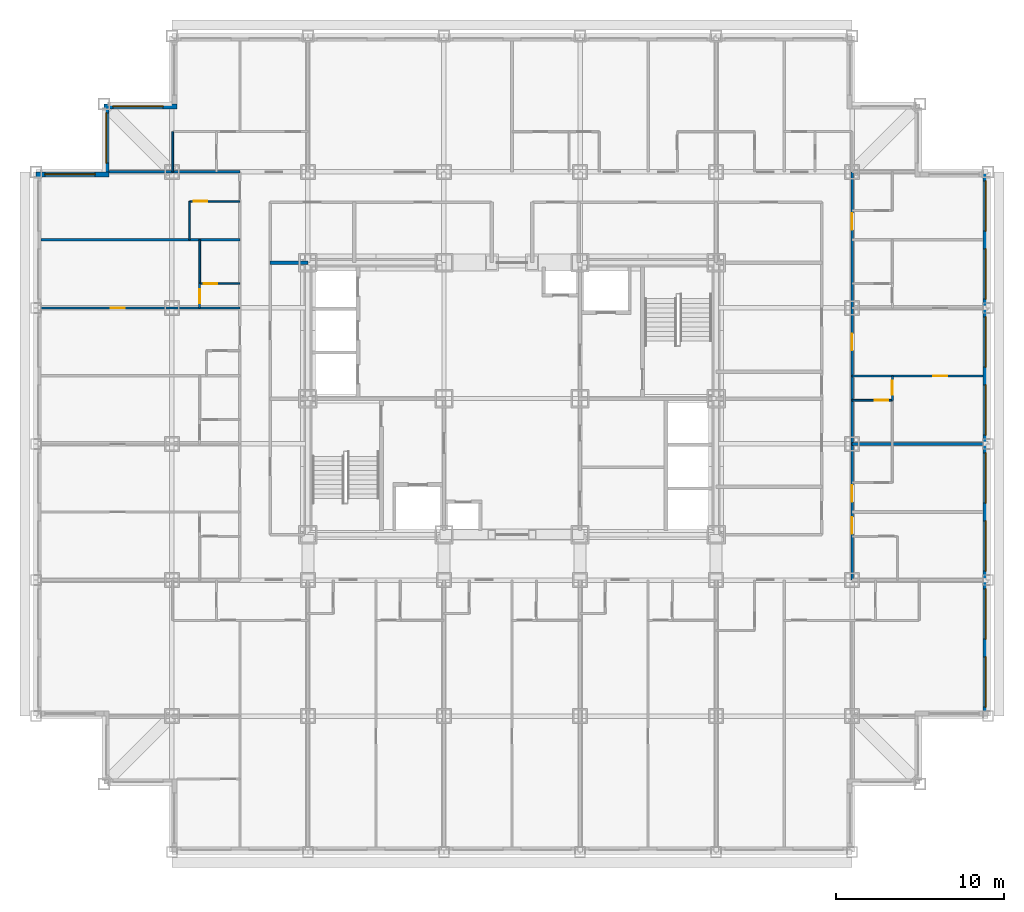
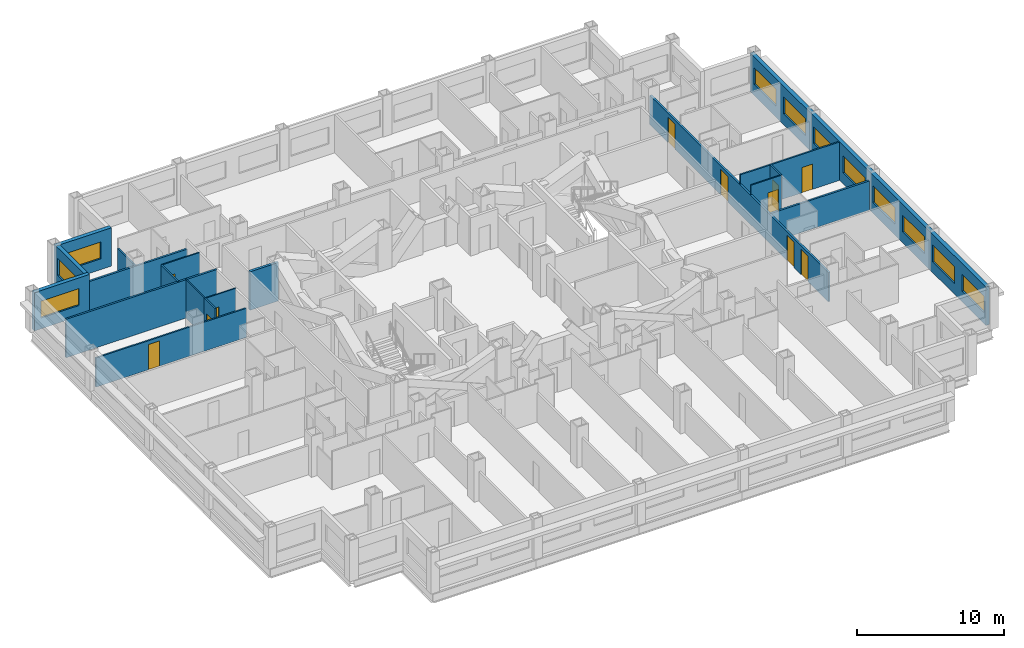
# One storey, part 8 of 12: 19 walls, 11 doors, 11 windows, 22 openings.
"""IFC4 building model written with IfcOpenShell, lengths in metres."""

import ifcopenshell
import ifcopenshell.guid

model = None  # the IFC model being written
_history = None  # IfcOwnerHistory: only IFC2X3 demands one
_inside = {}  # id of a spatial element -> (the spatial element, [elements in it])
_under = {}  # id of a project, library or spatial element -> (it, [spatial elements below it])
_declared = {}  # id of a project -> (the project, [libraries it declares])
_typed = {}  # id of a type object -> (the type object, [elements of that type])
_made_of = {}  # id of a material, layer set ... -> (it, [elements and type objects made of it])


def new_model(schema):
    """Start an empty IFC model of exactly this schema.

    Asked for "IFC4X3", IfcOpenShell would pick the latest addendum, in which some entities
    have other attributes; the version numbers below select the first issue.
    IFC2X3 requires an IfcOwnerHistory on every rooted entity: one is made here for all.
    """
    global model, _history
    if schema == "IFC4X3":
        model = ifcopenshell.file(schema_version=(4, 3, 0, 0))
    else:
        model = ifcopenshell.file(schema=schema)
    _inside.clear()
    _under.clear()
    _declared.clear()
    _typed.clear()
    _made_of.clear()
    _history = None
    if model.schema == "IFC2X3":
        org = make("IfcOrganization", Name="unknown")
        user = make(
            "IfcPersonAndOrganization",
            ThePerson=make("IfcPerson", FamilyName="unknown"),
            TheOrganization=org,
        )
        app = make(
            "IfcApplication",
            ApplicationDeveloper=org,
            Version="unknown",
            ApplicationFullName="unknown",
            ApplicationIdentifier="unknown",
        )
        _history = make(
            "IfcOwnerHistory",
            OwningUser=user,
            OwningApplication=app,
            ChangeAction="ADDED",
            CreationDate=0,
        )
    return model


def make(cls, **values):
    """One entity of the class cls with the attributes given. An attribute that is None is left unset."""
    return model.create_entity(
        cls, **{name: value for name, value in values.items() if value is not None}
    )


def rooted(cls, **values):
    """An entity with a GlobalId (a new one), such as an element, a storey or a relation."""
    return make(cls, GlobalId=ifcopenshell.guid.new(), OwnerHistory=_history, **values)


def si_unit(unit_type, name, prefix=None):
    """IfcSIUnit, for example si_unit("LENGTHUNIT", "METRE", prefix="MILLI")."""
    return make("IfcSIUnit", UnitType=unit_type, Prefix=prefix, Name=name)


def assignment(units):
    """IfcUnitAssignment: the units of a project."""
    return None if units is None else make("IfcUnitAssignment", Units=units)


def point(xyz):
    """IfcCartesianPoint."""
    return None if xyz is None else make("IfcCartesianPoint", Coordinates=xyz)


def direction(xyz):
    """IfcDirection."""
    return None if xyz is None else make("IfcDirection", DirectionRatios=xyz)


def frame(location, z_axis=None, x_axis=None):
    """IfcAxis2Placement3D, a coordinate frame: its origin and axes. An axis left out is left unset."""
    return make(
        "IfcAxis2Placement3D",
        Location=point(location),
        Axis=direction(z_axis),
        RefDirection=direction(x_axis),
    )


def frame_2d(location, x_axis=None):
    """IfcAxis2Placement2D, a coordinate frame in the plane: its origin and x axis."""
    return make(
        "IfcAxis2Placement2D", Location=point(location), RefDirection=direction(x_axis)
    )


def origin():
    """The frame at (0, 0, 0) with its axes left unset."""
    return frame((0.0, 0.0, 0.0))


def place(relative_to, where):
    """IfcLocalPlacement: puts the frame where relative to a parent placement (None: the world)."""
    return make(
        "IfcLocalPlacement", PlacementRelTo=relative_to, RelativePlacement=where
    )


def context(
    kind, dimensions, precision=None, world=None, true_north=None, identifier=None
):
    """IfcGeometricRepresentationContext, for example the 3D "Model" context."""
    return make(
        "IfcGeometricRepresentationContext",
        ContextIdentifier=identifier,
        ContextType=kind,
        CoordinateSpaceDimension=dimensions,
        Precision=precision,
        WorldCoordinateSystem=world,
        TrueNorth=true_north,
    )


def subcontext(parent, identifier, kind, view, scale=None):
    """IfcGeometricRepresentationSubContext, for example "Body" below "Model"."""
    return make(
        "IfcGeometricRepresentationSubContext",
        ContextIdentifier=identifier,
        ContextType=kind,
        ParentContext=parent,
        TargetScale=scale,
        TargetView=view,
    )


def project(units=None, contexts=None):
    """IfcProject with its units and contexts."""
    return rooted(
        "IfcProject",
        Name="project",
        RepresentationContexts=contexts,
        UnitsInContext=assignment(units),
    )


def spatial(cls, under=None, at=None, **own):
    """A site, building, storey or space (cls), placed at a placement, below another one or the project."""
    s = rooted(cls, ObjectPlacement=at, **own)
    if under is not None:
        _under.setdefault(under.id(), (under, []))[1].append(s)
    return s


def profile(cls, at=None, kind="AREA", **sizes):
    """A parametric profile (cls). Its sizes go by their IFC names, for example OverallWidth=200.0."""
    return make(cls, ProfileType=kind, Position=at, **sizes)


def rectangle(**sizes):
    """IfcRectangleProfileDef."""
    return profile("IfcRectangleProfileDef", **sizes)


def extrude(swept, where, along, depth):
    """IfcExtrudedAreaSolid: the profile swept, set in the frame where, extruded along a direction by depth."""
    return make(
        "IfcExtrudedAreaSolid",
        SweptArea=swept,
        Position=where,
        ExtrudedDirection=direction(along),
        Depth=depth,
    )


def shape(context_of_items, identifier, shape_type, items):
    """IfcShapeRepresentation: the items that make up one representation, for example the "Body"."""
    return make(
        "IfcShapeRepresentation",
        ContextOfItems=context_of_items,
        RepresentationIdentifier=identifier,
        RepresentationType=shape_type,
        Items=items,
    )


def material(Name=None, Category=None):
    """IfcMaterial."""
    return make("IfcMaterial", Name=Name, Category=Category)


def layer(
    of_material, thickness, ventilated=None, Name=None, Category=None, Priority=None
):
    """IfcMaterialLayer: one layer of a wall or slab, of a material (None: an air gap)."""
    return make(
        "IfcMaterialLayer",
        Material=of_material,
        LayerThickness=thickness,
        IsVentilated=ventilated,
        Name=Name,
        Category=Category,
        Priority=Priority,
    )


def layer_set(layers, Name=None):
    """IfcMaterialLayerSet."""
    return make("IfcMaterialLayerSet", MaterialLayers=layers, LayerSetName=Name)


def made_of(thing, what):
    """Note that an element or type object is made of a material, layer set ...; save() writes the relation."""
    if what is not None:
        _made_of.setdefault(what.id(), (what, []))[1].append(thing)
    return thing


def type_object(cls, material=None, **own):
    """A type object (cls), such as IfcWallType, which elements share."""
    return made_of(rooted(cls, **own), material)


def element(
    cls,
    number,
    at=None,
    inside=None,
    cuts=None,
    type_object=None,
    material=None,
    context=None,
    identifier="Body",
    shape_type=None,
    held_by="IfcProductDefinitionShape",
    body=None,
    shapes=None,
    **own,
):
    """One element of the class cls, such as IfcWall. Its Tag is "e" and its number.

    at: its placement. inside: the storey or other place that contains it. cuts: it is an
    opening in that element (IfcRelVoidsElement). A single representation is given by context,
    identifier, shape_type and body (its items); several are given by shapes. held_by: the class
    of the entity that holds the representations. save() writes the other relations.
    """
    e = rooted(cls, Tag="e%d" % number, ObjectPlacement=at, **own)
    if body is not None:
        shapes = [shape(context, identifier, shape_type, body)]
    if shapes is not None:
        e.Representation = make(held_by, Representations=shapes)
    if inside is not None:
        _inside.setdefault(inside.id(), (inside, []))[1].append(e)
    if cuts is not None:
        rooted(
            "IfcRelVoidsElement", RelatingBuildingElement=cuts, RelatedOpeningElement=e
        )
    if type_object is not None:
        _typed.setdefault(type_object.id(), (type_object, []))[1].append(e)
    return made_of(e, material)


def fill(opening, filler):
    """IfcRelFillsElement: the door or window that sits in an opening."""
    return rooted(
        "IfcRelFillsElement",
        RelatingOpeningElement=opening,
        RelatedBuildingElement=filler,
    )


def aggregate(whole, parts):
    """IfcRelAggregates: a whole, such as a stair, and the parts it consists of."""
    return rooted("IfcRelAggregates", RelatingObject=whole, RelatedObjects=parts)


def save(model, path):
    """Write the relations noted so far, then the file.

    IfcRelAggregates (storeys below a building ...), IfcRelContainedInSpatialStructure (elements
    in a storey), IfcRelDefinesByType, IfcRelAssociatesMaterial and IfcRelDeclares: one each for
    every whole, place, type object, material and project.
    """
    for whole, parts in _under.values():
        aggregate(whole, parts)
    for where, things in _inside.values():
        rooted(
            "IfcRelContainedInSpatialStructure",
            RelatedElements=things,
            RelatingStructure=where,
        )
    for kind, things in _typed.values():
        rooted("IfcRelDefinesByType", RelatedObjects=things, RelatingType=kind)
    for what, things in _made_of.values():
        rooted("IfcRelAssociatesMaterial", RelatedObjects=things, RelatingMaterial=what)
    for by, libraries in _declared.values():
        rooted("IfcRelDeclares", RelatingContext=by, RelatedDefinitions=libraries)
    model.write(path)


model = new_model("IFC4")

# Units and contexts
model_context = context("Model", 3, precision=1e-05, world=origin(), true_north=direction((0.0, 1.0)))
body_context = subcontext(model_context, "Body", "Model", "MODEL_VIEW")
ifc_project = project(units=[si_unit("LENGTHUNIT", "METRE"), si_unit("AREAUNIT", "SQUARE_METRE"), si_unit("VOLUMEUNIT", "CUBIC_METRE"), si_unit("PLANEANGLEUNIT", "RADIAN"), si_unit("MASSUNIT", "GRAM", prefix="KILO")], contexts=[model_context])

# Site, building, storey
site_placement = place(None, origin())
site = spatial("IfcSite", under=ifc_project, at=site_placement, CompositionType="ELEMENT")
building_placement = place(site_placement, origin())
building = spatial("IfcBuilding", under=site, at=building_placement, Name="Kopane Lantern Tower", CompositionType="ELEMENT")
storey_placement = place(building_placement, frame((0.0, 0.0, 147.60009765625)))
storey = spatial("IfcBuildingStorey", under=building, at=storey_placement, Name="L38", CompositionType="ELEMENT", Elevation=147.60009765625)

# Wall, opening, door
ifc_material_1 = material(Name="Gypsum board on steel studs", Category="steel")
ifc_layer_1 = layer(ifc_material_1, 0.1201171875)
ifc_layer_set_1 = layer_set([ifc_layer_1], Name="APARTMENT INTERNAL WALL 120")
wall_type_1 = type_object("IfcWallType", Name="APARTMENT INTERNAL WALL 120", PredefinedType="PARTITIONING", material=ifc_layer_set_1)
wall_1_placement = place(storey_placement, frame((12.14990234375, 37.800048828125, 0.0), z_axis=(0.0, 0.0, 1.0), x_axis=(-1.0, 0.0, 0.0)))
wall_1 = element("IfcWall", 1, at=wall_1_placement, inside=storey, type_object=wall_type_1, Name="Apartment Internal Wall 120 L38", PredefinedType="PARTITIONING", context=body_context, shape_type="SweptSolid", body=[
    extrude(rectangle(XDim=11.849853515625, YDim=0.1201171875, at=frame_2d((5.9248046875, 0.0))), origin(), (0.0, 0.0, 1.0), 2.420166015625),
])
opening_1_placement = place(wall_1_placement, frame((6.85009765625, 0.0, 0.0)))
opening_1 = element("IfcOpeningElement", 2, at=opening_1_placement, cuts=wall_1, Name="Opening L38-042", PredefinedType="OPENING", context=body_context, shape_type="SweptSolid", body=[
    extrude(rectangle(XDim=0.85009765625, YDim=2.10009765625, at=frame_2d((0.425048828125, 1.050048828125))), frame((0.0, 0.070068359375, 0.0), z_axis=(0.0, -1.0, 0.0), x_axis=(1.0, 0.0, 0.0)), (0.0, 0.0, 1.0), 0.14013671875),
])
ifc_material_2 = material(Name="Timber door set", Category="wood")
door_type_1 = type_object("IfcDoorType", Name="DOOR D4 850x2100", OperationType="SINGLE_SWING_LEFT", PredefinedType="DOOR", material=ifc_material_2)
door_1_placement = place(opening_1_placement, origin())
door_1 = element("IfcDoor", 3, at=door_1_placement, inside=storey, type_object=door_type_1, Name="Door L38-042", OperationType="SINGLE_SWING_RIGHT", OverallHeight=2.10009765625, OverallWidth=0.85009765625, PredefinedType="DOOR", context=body_context, shape_type="SweptSolid", body=[
    extrude(rectangle(XDim=0.85009765625, YDim=2.10009765625, at=frame_2d((0.425048828125, 1.050048828125))), frame((0.0, 0.02490234375, 0.0), z_axis=(0.0, -1.0, 0.0), x_axis=(1.0, 0.0, 0.0)), (0.0, 0.0, 1.0), 0.050048828125),
])
fill(opening_1, door_1)

wall_2_placement = place(storey_placement, frame((48.60009765625, 33.75, 0.0), z_axis=(0.0, 0.0, 1.0), x_axis=(1.0, 0.0, 0.0)))
wall_2 = element("IfcWall", 4, at=wall_2_placement, inside=storey, type_object=wall_type_1, Name="Apartment Internal Wall 120 L38", PredefinedType="PARTITIONING", context=body_context, shape_type="SweptSolid", body=[
    extrude(rectangle(XDim=7.7998046875, YDim=0.1201171875, at=frame_2d((3.89990234375, 0.0))), origin(), (0.0, 0.0, 1.0), 3.18994140625),
])
opening_2_placement = place(wall_2_placement, frame((4.824951171875, 0.0, 0.0)))
opening_2 = element("IfcOpeningElement", 5, at=opening_2_placement, cuts=wall_2, Name="Opening L38-051", PredefinedType="OPENING", context=body_context, shape_type="SweptSolid", body=[
    extrude(rectangle(XDim=0.85009765625, YDim=2.10009765625, at=frame_2d((0.425048828125, 1.050048828125))), frame((0.0, 0.070068359375, 0.0), z_axis=(0.0, -1.0, 0.0), x_axis=(1.0, 0.0, 0.0)), (0.0, 0.0, 1.0), 0.14013671875),
])
door_2_placement = place(opening_2_placement, origin())
door_2 = element("IfcDoor", 6, at=door_2_placement, inside=storey, type_object=door_type_1, Name="Door L38-051", OperationType="SINGLE_SWING_RIGHT", OverallHeight=2.10009765625, OverallWidth=0.85009765625, PredefinedType="DOOR", context=body_context, shape_type="SweptSolid", body=[
    extrude(rectangle(XDim=0.85009765625, YDim=2.10009765625, at=frame_2d((0.425048828125, 1.050048828125))), frame((0.0, 0.02490234375, 0.0), z_axis=(0.0, -1.0, 0.0), x_axis=(1.0, 0.0, 0.0)), (0.0, 0.0, 1.0), 0.050048828125),
])
fill(opening_2, door_2)

wall_3_placement = place(storey_placement, frame((9.75, 37.800048828125, 0.0), z_axis=(0.0, 0.0, 1.0), x_axis=(0.0, 1.0, 0.0)))
wall_3 = element("IfcWall", 7, at=wall_3_placement, inside=storey, type_object=wall_type_1, Name="Apartment Internal Wall 120 L38", PredefinedType="PARTITIONING", context=body_context, shape_type="SweptSolid", body=[
    extrude(rectangle(XDim=1.4599609375, YDim=0.1201171875, at=frame_2d((0.72998046875, 0.0))), origin(), (0.0, 0.0, 1.0), 3.18994140625),
])
opening_3_placement = place(wall_3_placement, frame((0.27490234375, 0.0, 0.0)))
opening_3 = element("IfcOpeningElement", 8, at=opening_3_placement, cuts=wall_3, Name="Opening L38-078", PredefinedType="OPENING", context=body_context, shape_type="SweptSolid", body=[
    extrude(rectangle(XDim=0.85009765625, YDim=2.10009765625, at=frame_2d((0.425048828125, 1.050048828125))), frame((0.0, 0.070068359375, 0.0), z_axis=(0.0, -1.0, 0.0), x_axis=(1.0, 0.0, 0.0)), (0.0, 0.0, 1.0), 0.14013671875),
])
door_3_placement = place(opening_3_placement, origin())
door_3 = element("IfcDoor", 9, at=door_3_placement, inside=storey, type_object=door_type_1, Name="Door L38-078", OperationType="SINGLE_SWING_LEFT", OverallHeight=2.10009765625, OverallWidth=0.85009765625, PredefinedType="DOOR", context=body_context, shape_type="SweptSolid", body=[
    extrude(rectangle(XDim=0.85009765625, YDim=2.10009765625, at=frame_2d((0.425048828125, 1.050048828125))), frame((0.0, 0.02490234375, 0.0), z_axis=(0.0, -1.0, 0.0), x_axis=(1.0, 0.0, 0.0)), (0.0, 0.0, 1.0), 0.050048828125),
])
fill(opening_3, door_3)

wall_4_placement = place(storey_placement, frame((51.0, 33.75, 0.0), z_axis=(0.0, 0.0, 1.0), x_axis=(0.0, -1.0, 0.0)))
wall_4 = element("IfcWall", 10, at=wall_4_placement, inside=storey, type_object=wall_type_1, Name="Apartment Internal Wall 120 L38", PredefinedType="PARTITIONING", context=body_context, shape_type="SweptSolid", body=[
    extrude(rectangle(XDim=1.4599609375, YDim=0.1201171875, at=frame_2d((0.72998046875, 0.0))), origin(), (0.0, 0.0, 1.0), 3.18994140625),
])
opening_4_placement = place(wall_4_placement, frame((0.27490234375, 0.0, 0.0)))
opening_4 = element("IfcOpeningElement", 11, at=opening_4_placement, cuts=wall_4, Name="Opening L38-079", PredefinedType="OPENING", context=body_context, shape_type="SweptSolid", body=[
    extrude(rectangle(XDim=0.85009765625, YDim=2.10009765625, at=frame_2d((0.425048828125, 1.050048828125))), frame((0.0, 0.070068359375, 0.0), z_axis=(0.0, -1.0, 0.0), x_axis=(1.0, 0.0, 0.0)), (0.0, 0.0, 1.0), 0.14013671875),
])
door_4_placement = place(opening_4_placement, origin())
door_4 = element("IfcDoor", 12, at=door_4_placement, inside=storey, type_object=door_type_1, Name="Door L38-079", OperationType="SINGLE_SWING_LEFT", OverallHeight=2.10009765625, OverallWidth=0.85009765625, PredefinedType="DOOR", context=body_context, shape_type="SweptSolid", body=[
    extrude(rectangle(XDim=0.85009765625, YDim=2.10009765625, at=frame_2d((0.425048828125, 1.050048828125))), frame((0.0, 0.02490234375, 0.0), z_axis=(0.0, -1.0, 0.0), x_axis=(1.0, 0.0, 0.0)), (0.0, 0.0, 1.0), 0.050048828125),
])
fill(opening_4, door_4)

# Wall
ifc_material_3 = material(Name="Moisture-resistant board on steel studs", Category="steel")
ifc_layer_2 = layer(ifc_material_3, 0.10009765625)
ifc_layer_set_2 = layer_set([ifc_layer_2], Name="BATHROOM WALL 100")
wall_type_2 = type_object("IfcWallType", Name="BATHROOM WALL 100", PredefinedType="PARTITIONING", material=ifc_layer_set_2)
wall_5_placement = place(storey_placement, frame((9.75, 39.25, 0.0), z_axis=(0.0, 0.0, 1.0), x_axis=(0.0, 1.0, 0.0)))
element("IfcWall", 13, at=wall_5_placement, inside=storey, type_object=wall_type_2, Name="Bathroom Wall 100 L38", PredefinedType="PARTITIONING", context=body_context, shape_type="SweptSolid", body=[
    extrude(rectangle(XDim=2.60009765625, YDim=0.10009765625, at=frame_2d((1.300048828125, 0.0))), origin(), (0.0, 0.0, 1.0), 3.18994140625),
])

# Wall, opening, door
wall_6_placement = place(storey_placement, frame((12.14990234375, 39.25, 0.0), z_axis=(0.0, 0.0, 1.0), x_axis=(-1.0, 0.0, 0.0)))
wall_6 = element("IfcWall", 14, at=wall_6_placement, inside=storey, type_object=wall_type_2, Name="Bathroom Wall 100 L38", PredefinedType="PARTITIONING", context=body_context, shape_type="SweptSolid", body=[
    extrude(rectangle(XDim=2.39990234375, YDim=0.10009765625, at=frame_2d((1.199951171875, 0.0))), origin(), (0.0, 0.0, 1.0), 3.18994140625),
])
opening_5_placement = place(wall_6_placement, frame((1.35009765625, 0.0, 0.0)))
opening_5 = element("IfcOpeningElement", 15, at=opening_5_placement, cuts=wall_6, Name="Opening L38-041", PredefinedType="OPENING", context=body_context, shape_type="SweptSolid", body=[
    extrude(rectangle(XDim=0.800048828125, YDim=2.10009765625, at=frame_2d((0.39990234375, 1.050048828125))), frame((0.0, 0.06005859375, 0.0), z_axis=(0.0, -1.0, 0.0), x_axis=(1.0, 0.0, 0.0)), (0.0, 0.0, 1.0), 0.1201171875),
])
ifc_material_4 = material(Name="Timber door set", Category="wood")
door_type_2 = type_object("IfcDoorType", Name="DOOR D2 800x2100", OperationType="SINGLE_SWING_LEFT", PredefinedType="DOOR", material=ifc_material_4)
door_5_placement = place(opening_5_placement, origin())
door_5 = element("IfcDoor", 16, at=door_5_placement, inside=storey, type_object=door_type_2, Name="Door L38-041", OperationType="SINGLE_SWING_RIGHT", OverallHeight=2.10009765625, OverallWidth=0.800048828125, PredefinedType="DOOR", context=body_context, shape_type="SweptSolid", body=[
    extrude(rectangle(XDim=0.800048828125, YDim=2.10009765625, at=frame_2d((0.39990234375, 1.050048828125))), frame((0.0, 0.02490234375, 0.0), z_axis=(0.0, -1.0, 0.0), x_axis=(1.0, 0.0, 0.0)), (0.0, 0.0, 1.0), 0.050048828125),
])
fill(opening_5, door_5)

# Wall
wall_7_placement = place(storey_placement, frame((9.14990234375, 41.85009765625, 0.0), z_axis=(0.0, 0.0, 1.0), x_axis=(0.0, 1.0, 0.0)))
element("IfcWall", 17, at=wall_7_placement, inside=storey, type_object=wall_type_2, Name="Bathroom Wall 100 L38", PredefinedType="PARTITIONING", context=body_context, shape_type="SweptSolid", body=[
    extrude(rectangle(XDim=2.2998046875, YDim=0.10009765625, at=frame_2d((1.14990234375, 0.0))), origin(), (0.0, 0.0, 1.0), 3.18994140625),
])

# Wall, opening, door
wall_8_placement = place(storey_placement, frame((12.14990234375, 44.14990234375, 0.0), z_axis=(0.0, 0.0, 1.0), x_axis=(-1.0, 0.0, 0.0)))
wall_8 = element("IfcWall", 18, at=wall_8_placement, inside=storey, type_object=wall_type_2, Name="Bathroom Wall 100 L38", PredefinedType="PARTITIONING", context=body_context, shape_type="SweptSolid", body=[
    extrude(rectangle(XDim=3.0, YDim=0.10009765625, at=frame_2d((1.5, 0.0))), origin(), (0.0, 0.0, 1.0), 3.18994140625),
])
opening_6_placement = place(wall_8_placement, frame((1.949951171875, 0.0, 0.0)))
opening_6 = element("IfcOpeningElement", 19, at=opening_6_placement, cuts=wall_8, Name="Opening L38-043", PredefinedType="OPENING", context=body_context, shape_type="SweptSolid", body=[
    extrude(rectangle(XDim=0.800048828125, YDim=2.10009765625, at=frame_2d((0.39990234375, 1.050048828125))), frame((0.0, 0.06005859375, 0.0), z_axis=(0.0, -1.0, 0.0), x_axis=(1.0, 0.0, 0.0)), (0.0, 0.0, 1.0), 0.1201171875),
])
door_6_placement = place(opening_6_placement, origin())
door_6 = element("IfcDoor", 20, at=door_6_placement, inside=storey, type_object=door_type_2, Name="Door L38-043", OperationType="SINGLE_SWING_RIGHT", OverallHeight=2.10009765625, OverallWidth=0.800048828125, PredefinedType="DOOR", context=body_context, shape_type="SweptSolid", body=[
    extrude(rectangle(XDim=0.800048828125, YDim=2.10009765625, at=frame_2d((0.39990234375, 1.050048828125))), frame((0.0, 0.02490234375, 0.0), z_axis=(0.0, -1.0, 0.0), x_axis=(1.0, 0.0, 0.0)), (0.0, 0.0, 1.0), 0.050048828125),
])
fill(opening_6, door_6)

wall_9_placement = place(storey_placement, frame((48.60009765625, 32.300048828125, 0.0), z_axis=(0.0, 0.0, 1.0), x_axis=(1.0, 0.0, 0.0)))
wall_9 = element("IfcWall", 21, at=wall_9_placement, inside=storey, type_object=wall_type_2, Name="Bathroom Wall 100 L38", PredefinedType="PARTITIONING", context=body_context, shape_type="SweptSolid", body=[
    extrude(rectangle(XDim=2.39990234375, YDim=0.10009765625, at=frame_2d((1.199951171875, 0.0))), origin(), (0.0, 0.0, 1.0), 3.18994140625),
])
opening_7_placement = place(wall_9_placement, frame((1.35009765625, 0.0, 0.0)))
opening_7 = element("IfcOpeningElement", 22, at=opening_7_placement, cuts=wall_9, Name="Opening L38-050", PredefinedType="OPENING", context=body_context, shape_type="SweptSolid", body=[
    extrude(rectangle(XDim=0.800048828125, YDim=2.10009765625, at=frame_2d((0.39990234375, 1.050048828125))), frame((0.0, 0.06005859375, 0.0), z_axis=(0.0, -1.0, 0.0), x_axis=(1.0, 0.0, 0.0)), (0.0, 0.0, 1.0), 0.1201171875),
])
door_7_placement = place(opening_7_placement, origin())
door_7 = element("IfcDoor", 23, at=door_7_placement, inside=storey, type_object=door_type_2, Name="Door L38-050", OperationType="SINGLE_SWING_RIGHT", OverallHeight=2.10009765625, OverallWidth=0.800048828125, PredefinedType="DOOR", context=body_context, shape_type="SweptSolid", body=[
    extrude(rectangle(XDim=0.800048828125, YDim=2.10009765625, at=frame_2d((0.39990234375, 1.050048828125))), frame((0.0, 0.02490234375, 0.0), z_axis=(0.0, -1.0, 0.0), x_axis=(1.0, 0.0, 0.0)), (0.0, 0.0, 1.0), 0.050048828125),
])
fill(opening_7, door_7)

# Wall
wall_10_placement = place(storey_placement, frame((8.14990234375, 45.89990234375, 0.0), z_axis=(0.0, 0.0, 1.0), x_axis=(0.0, 1.0, 0.0)))
element("IfcWall", 24, at=wall_10_placement, inside=storey, type_object=wall_type_2, Name="Bathroom Wall 100 L38", PredefinedType="PARTITIONING", context=body_context, shape_type="SweptSolid", body=[
    extrude(rectangle(XDim=2.400146484375, YDim=0.10009765625, at=frame_2d((1.2001953125, 0.0))), origin(), (0.0, 0.0, 1.0), 2.420166015625),
])

# Wall, openings, doors
ifc_material_5 = material(Name="Gypsum board on steel studs", Category="steel")
ifc_layer_3 = layer(ifc_material_5, 0.14990234375)
ifc_layer_set_3 = layer_set([ifc_layer_3], Name="CORRIDOR WALL 150 EI 60")
wall_type_3 = type_object("IfcWallType", Name="CORRIDOR WALL 150 EI 60", PredefinedType="PARTITIONING", material=ifc_layer_set_3)
wall_11_placement = place(storey_placement, frame((48.60009765625, 21.60009765625, 0.0), z_axis=(0.0, 0.0, 1.0), x_axis=(0.0, 1.0, 0.0)))
wall_11 = element("IfcWall", 25, at=wall_11_placement, inside=storey, type_object=wall_type_3, Name="Corridor Wall 150 Ei 60 L38", PredefinedType="PARTITIONING", context=body_context, shape_type="SweptSolid", body=[
    extrude(rectangle(XDim=24.2998046875, YDim=0.14990234375, at=frame_2d((12.14990234375, 0.0))), origin(), (0.0, 0.0, 1.0), 2.420166015625),
])
opening_8_placement = place(wall_11_placement, frame((2.75, 0.0, 0.0)))
opening_8 = element("IfcOpeningElement", 26, at=opening_8_placement, cuts=wall_11, Name="Opening L38-046", PredefinedType="OPENING", context=body_context, shape_type="SweptSolid", body=[
    extrude(rectangle(XDim=1.0, YDim=2.10009765625, at=frame_2d((0.5, 1.050048828125))), frame((0.0, 0.0849609375, 0.0), z_axis=(0.0, -1.0, 0.0), x_axis=(1.0, 0.0, 0.0)), (0.0, 0.0, 1.0), 0.169921875),
])
opening_9_placement = place(wall_11_placement, frame((4.64990234375, 0.0, 0.0)))
opening_9 = element("IfcOpeningElement", 27, at=opening_9_placement, cuts=wall_11, Name="Opening L38-048", PredefinedType="OPENING", context=body_context, shape_type="SweptSolid", body=[
    extrude(rectangle(XDim=1.0, YDim=2.10009765625, at=frame_2d((0.5, 1.050048828125))), frame((0.0, 0.0849609375, 0.0), z_axis=(0.0, -1.0, 0.0), x_axis=(1.0, 0.0, 0.0)), (0.0, 0.0, 1.0), 0.169921875),
])
opening_10_placement = place(wall_11_placement, frame((13.675048828125, 0.0, 0.0)))
opening_10 = element("IfcOpeningElement", 28, at=opening_10_placement, cuts=wall_11, Name="Opening L38-049", PredefinedType="OPENING", context=body_context, shape_type="SweptSolid", body=[
    extrude(rectangle(XDim=1.0, YDim=2.10009765625, at=frame_2d((0.5, 1.050048828125))), frame((0.0, 0.0849609375, 0.0), z_axis=(0.0, -1.0, 0.0), x_axis=(1.0, 0.0, 0.0)), (0.0, 0.0, 1.0), 0.169921875),
])
opening_11_placement = place(wall_11_placement, frame((20.85009765625, 0.0, 0.0)))
opening_11 = element("IfcOpeningElement", 29, at=opening_11_placement, cuts=wall_11, Name="Opening L38-055", PredefinedType="OPENING", context=body_context, shape_type="SweptSolid", body=[
    extrude(rectangle(XDim=1.0, YDim=2.10009765625, at=frame_2d((0.5, 1.050048828125))), frame((0.0, 0.0849609375, 0.0), z_axis=(0.0, -1.0, 0.0), x_axis=(1.0, 0.0, 0.0)), (0.0, 0.0, 1.0), 0.169921875),
])
ifc_material_6 = material(Name="Steel door set", Category="steel")
door_type_3 = type_object("IfcDoorType", Name="DOOR D1 1000x2100 FD30S", OperationType="SINGLE_SWING_LEFT", PredefinedType="DOOR", material=ifc_material_6)
door_8_placement = place(opening_8_placement, origin())
door_8 = element("IfcDoor", 30, at=door_8_placement, inside=storey, type_object=door_type_3, Name="Door L38-046", OperationType="SINGLE_SWING_RIGHT", OverallHeight=2.10009765625, OverallWidth=1.0, PredefinedType="DOOR", context=body_context, shape_type="SweptSolid", body=[
    extrude(rectangle(XDim=1.0, YDim=2.10009765625, at=frame_2d((0.5, 1.050048828125))), frame((0.0, 0.02490234375, 0.0), z_axis=(0.0, -1.0, 0.0), x_axis=(1.0, 0.0, 0.0)), (0.0, 0.0, 1.0), 0.050048828125),
])
fill(opening_8, door_8)
door_9_placement = place(opening_9_placement, origin())
door_9 = element("IfcDoor", 31, at=door_9_placement, inside=storey, type_object=door_type_3, Name="Door L38-048", OperationType="SINGLE_SWING_LEFT", OverallHeight=2.10009765625, OverallWidth=1.0, PredefinedType="DOOR", context=body_context, shape_type="SweptSolid", body=[
    extrude(rectangle(XDim=1.0, YDim=2.10009765625, at=frame_2d((0.5, 1.050048828125))), frame((0.0, 0.02490234375, 0.0), z_axis=(0.0, -1.0, 0.0), x_axis=(1.0, 0.0, 0.0)), (0.0, 0.0, 1.0), 0.050048828125),
])
fill(opening_9, door_9)
door_10_placement = place(opening_10_placement, origin())
door_10 = element("IfcDoor", 32, at=door_10_placement, inside=storey, type_object=door_type_3, Name="Door L38-049", OperationType="SINGLE_SWING_RIGHT", OverallHeight=2.10009765625, OverallWidth=1.0, PredefinedType="DOOR", context=body_context, shape_type="SweptSolid", body=[
    extrude(rectangle(XDim=1.0, YDim=2.10009765625, at=frame_2d((0.5, 1.050048828125))), frame((0.0, 0.02490234375, 0.0), z_axis=(0.0, -1.0, 0.0), x_axis=(1.0, 0.0, 0.0)), (0.0, 0.0, 1.0), 0.050048828125),
])
fill(opening_10, door_10)
door_11_placement = place(opening_11_placement, origin())
door_11 = element("IfcDoor", 33, at=door_11_placement, inside=storey, type_object=door_type_3, Name="Door L38-055", OperationType="SINGLE_SWING_LEFT", OverallHeight=2.10009765625, OverallWidth=1.0, PredefinedType="DOOR", context=body_context, shape_type="SweptSolid", body=[
    extrude(rectangle(XDim=1.0, YDim=2.10009765625, at=frame_2d((0.5, 1.050048828125))), frame((0.0, 0.02490234375, 0.0), z_axis=(0.0, -1.0, 0.0), x_axis=(1.0, 0.0, 0.0)), (0.0, 0.0, 1.0), 0.050048828125),
])
fill(opening_11, door_11)

# Walls
ifc_material_7 = material(Name="Gypsum board on steel studs", Category="steel")
ifc_layer_4 = layer(ifc_material_7, 0.14990234375)
ifc_layer_set_4 = layer_set([ifc_layer_4], Name="DEMISING WALL 150 EI 60")
wall_type_4 = type_object("IfcWallType", Name="DEMISING WALL 150 EI 60", PredefinedType="PARTITIONING", material=ifc_layer_set_4)
wall_12_placement = place(storey_placement, frame((12.14990234375, 41.85009765625, 0.0), z_axis=(0.0, 0.0, 1.0), x_axis=(-1.0, 0.0, 0.0)))
element("IfcWall", 34, at=wall_12_placement, inside=storey, type_object=wall_type_4, Name="Demising Wall 150 Ei 60 L38", PredefinedType="PARTITIONING", context=body_context, shape_type="SweptSolid", body=[
    extrude(rectangle(XDim=11.849853515625, YDim=0.14990234375, at=frame_2d((5.9248046875, 0.0))), origin(), (0.0, 0.0, 1.0), 3.18994140625),
])
for number, where, z_axis, x_axis, name in (
    (35, (48.60009765625, 29.699951171875, 0.0), (0.0, 0.0, 1.0), (1.0, 0.0, 0.0), "Demising Wall 150 Ei 60 L38"),
    (36, (4.35009765625, 45.89990234375, 0.0), (0.0, 0.0, 1.0), (1.0, 0.0, 0.0), "Demising Wall 150 Ei 60 L38"),
):
    element("IfcWall", number, at=place(storey_placement, frame(where, z_axis=z_axis, x_axis=x_axis)), inside=storey, type_object=wall_type_4, Name=name, PredefinedType="PARTITIONING", context=body_context, shape_type="SweptSolid", body=[
        extrude(rectangle(XDim=7.7998046875, YDim=0.14990234375, at=frame_2d((3.89990234375, 0.0))), origin(), (0.0, 0.0, 1.0), 2.420166015625),
    ])

# Wall, openings, windows
ifc_material_8 = material(Name="Terracotta rainscreen on light steel framing", Category="masonry")
ifc_layer_5 = layer(ifc_material_8, 0.300048828125)
ifc_layer_set_5 = layer_set([ifc_layer_5], Name="EXTERNAL WALL EW1 300 TERRACOTTA")
wall_type_5 = type_object("IfcWallType", Name="EXTERNAL WALL EW1 300 TERRACOTTA", PredefinedType="SOLIDWALL", material=ifc_layer_set_5)
wall_13_placement = place(storey_placement, frame((56.550048828125, 13.800048828125, 0.0), z_axis=(0.0, 0.0, 1.0), x_axis=(0.0, 1.0, 0.0)))
wall_13 = element("IfcWall", 37, at=wall_13_placement, inside=storey, type_object=wall_type_5, Name="External wall E L38", PredefinedType="SOLIDWALL", context=body_context, shape_type="SweptSolid", body=[
    extrude(rectangle(XDim=32.099853515625, YDim=0.300048828125, at=frame_2d((16.0498046875, 0.0))), origin(), (0.0, 0.0, 1.0), 3.18994140625),
])
opening_12_placement = place(wall_13_placement, frame((0.22509765625, 0.0, 0.89990234375)))
opening_12 = element("IfcOpeningElement", 38, at=opening_12_placement, cuts=wall_13, Name="Opening WR300140", PredefinedType="OPENING", context=body_context, shape_type="SweptSolid", body=[
    extrude(rectangle(XDim=3.0, YDim=1.39990234375, at=frame_2d((1.5, 0.699951171875))), frame((0.0, 0.159912109375, 0.0), z_axis=(0.0, -1.0, 0.0), x_axis=(1.0, 0.0, 0.0)), (0.0, 0.0, 1.0), 0.320068359375),
])
opening_13_placement = place(wall_13_placement, frame((4.27490234375, 0.0, 0.89990234375)))
opening_13 = element("IfcOpeningElement", 39, at=opening_13_placement, cuts=wall_13, Name="Opening WR300140", PredefinedType="OPENING", context=body_context, shape_type="SweptSolid", body=[
    extrude(rectangle(XDim=3.0, YDim=1.39990234375, at=frame_2d((1.5, 0.699951171875))), frame((0.0, 0.159912109375, 0.0), z_axis=(0.0, -1.0, 0.0), x_axis=(1.0, 0.0, 0.0)), (0.0, 0.0, 1.0), 0.320068359375),
])
opening_14_placement = place(wall_13_placement, frame((8.324951171875, 0.0, 0.89990234375)))
opening_14 = element("IfcOpeningElement", 40, at=opening_14_placement, cuts=wall_13, Name="Opening WR300140", PredefinedType="OPENING", context=body_context, shape_type="SweptSolid", body=[
    extrude(rectangle(XDim=3.0, YDim=1.39990234375, at=frame_2d((1.5, 0.699951171875))), frame((0.0, 0.159912109375, 0.0), z_axis=(0.0, -1.0, 0.0), x_axis=(1.0, 0.0, 0.0)), (0.0, 0.0, 1.0), 0.320068359375),
])
opening_15_placement = place(wall_13_placement, frame((12.375, 0.0, 0.89990234375)))
opening_15 = element("IfcOpeningElement", 41, at=opening_15_placement, cuts=wall_13, Name="Opening WR300140", PredefinedType="OPENING", context=body_context, shape_type="SweptSolid", body=[
    extrude(rectangle(XDim=3.0, YDim=1.39990234375, at=frame_2d((1.5, 0.699951171875))), frame((0.0, 0.159912109375, 0.0), z_axis=(0.0, -1.0, 0.0), x_axis=(1.0, 0.0, 0.0)), (0.0, 0.0, 1.0), 0.320068359375),
])
opening_16_placement = place(wall_13_placement, frame((16.425048828125, 0.0, 0.89990234375)))
opening_16 = element("IfcOpeningElement", 42, at=opening_16_placement, cuts=wall_13, Name="Opening WR300140", PredefinedType="OPENING", context=body_context, shape_type="SweptSolid", body=[
    extrude(rectangle(XDim=3.0, YDim=1.39990234375, at=frame_2d((1.5, 0.699951171875))), frame((0.0, 0.159912109375, 0.0), z_axis=(0.0, -1.0, 0.0), x_axis=(1.0, 0.0, 0.0)), (0.0, 0.0, 1.0), 0.320068359375),
])
opening_17_placement = place(wall_13_placement, frame((20.47509765625, 0.0, 0.89990234375)))
opening_17 = element("IfcOpeningElement", 43, at=opening_17_placement, cuts=wall_13, Name="Opening WR300140", PredefinedType="OPENING", context=body_context, shape_type="SweptSolid", body=[
    extrude(rectangle(XDim=3.0, YDim=1.39990234375, at=frame_2d((1.5, 0.699951171875))), frame((0.0, 0.159912109375, 0.0), z_axis=(0.0, -1.0, 0.0), x_axis=(1.0, 0.0, 0.0)), (0.0, 0.0, 1.0), 0.320068359375),
])
opening_18_placement = place(wall_13_placement, frame((24.52490234375, 0.0, 0.89990234375)))
opening_18 = element("IfcOpeningElement", 44, at=opening_18_placement, cuts=wall_13, Name="Opening WR300140", PredefinedType="OPENING", context=body_context, shape_type="SweptSolid", body=[
    extrude(rectangle(XDim=3.0, YDim=1.39990234375, at=frame_2d((1.5, 0.699951171875))), frame((0.0, 0.159912109375, 0.0), z_axis=(0.0, -1.0, 0.0), x_axis=(1.0, 0.0, 0.0)), (0.0, 0.0, 1.0), 0.320068359375),
])
opening_19_placement = place(wall_13_placement, frame((28.574951171875, 0.0, 0.89990234375)))
opening_19 = element("IfcOpeningElement", 45, at=opening_19_placement, cuts=wall_13, Name="Opening WR300140", PredefinedType="OPENING", context=body_context, shape_type="SweptSolid", body=[
    extrude(rectangle(XDim=3.0, YDim=1.39990234375, at=frame_2d((1.5, 0.699951171875))), frame((0.0, 0.159912109375, 0.0), z_axis=(0.0, -1.0, 0.0), x_axis=(1.0, 0.0, 0.0)), (0.0, 0.0, 1.0), 0.320068359375),
])
ifc_material_9 = material(Name="Aluminium and clear glass", Category="aluminium")
window_type = type_object("IfcWindowType", Name="RIBBON WINDOW WR300140 3000x1400", PartitioningType="SINGLE_PANEL", PredefinedType="WINDOW", material=ifc_material_9)
window_1_placement = place(opening_12_placement, origin())
window_1 = element("IfcWindow", 46, at=window_1_placement, inside=storey, type_object=window_type, Name="Window E L38", OverallHeight=1.39990234375, OverallWidth=3.0, PartitioningType="SINGLE_PANEL", PredefinedType="WINDOW", context=body_context, shape_type="SweptSolid", body=[
    extrude(rectangle(XDim=3.0, YDim=1.39990234375, at=frame_2d((1.5, 0.699951171875))), frame((0.0, 0.030029296875, 0.0), z_axis=(0.0, -1.0, 0.0), x_axis=(1.0, 0.0, 0.0)), (0.0, 0.0, 1.0), 0.06005859375),
])
fill(opening_12, window_1)
window_2_placement = place(opening_13_placement, origin())
window_2 = element("IfcWindow", 47, at=window_2_placement, inside=storey, type_object=window_type, Name="Window E L38", OverallHeight=1.39990234375, OverallWidth=3.0, PartitioningType="SINGLE_PANEL", PredefinedType="WINDOW", context=body_context, shape_type="SweptSolid", body=[
    extrude(rectangle(XDim=3.0, YDim=1.39990234375, at=frame_2d((1.5, 0.699951171875))), frame((0.0, 0.030029296875, 0.0), z_axis=(0.0, -1.0, 0.0), x_axis=(1.0, 0.0, 0.0)), (0.0, 0.0, 1.0), 0.06005859375),
])
fill(opening_13, window_2)
window_3_placement = place(opening_14_placement, origin())
window_3 = element("IfcWindow", 48, at=window_3_placement, inside=storey, type_object=window_type, Name="Window E L38", OverallHeight=1.39990234375, OverallWidth=3.0, PartitioningType="SINGLE_PANEL", PredefinedType="WINDOW", context=body_context, shape_type="SweptSolid", body=[
    extrude(rectangle(XDim=3.0, YDim=1.39990234375, at=frame_2d((1.5, 0.699951171875))), frame((0.0, 0.030029296875, 0.0), z_axis=(0.0, -1.0, 0.0), x_axis=(1.0, 0.0, 0.0)), (0.0, 0.0, 1.0), 0.06005859375),
])
fill(opening_14, window_3)
window_4_placement = place(opening_15_placement, origin())
window_4 = element("IfcWindow", 49, at=window_4_placement, inside=storey, type_object=window_type, Name="Window E L38", OverallHeight=1.39990234375, OverallWidth=3.0, PartitioningType="SINGLE_PANEL", PredefinedType="WINDOW", context=body_context, shape_type="SweptSolid", body=[
    extrude(rectangle(XDim=3.0, YDim=1.39990234375, at=frame_2d((1.5, 0.699951171875))), frame((0.0, 0.030029296875, 0.0), z_axis=(0.0, -1.0, 0.0), x_axis=(1.0, 0.0, 0.0)), (0.0, 0.0, 1.0), 0.06005859375),
])
fill(opening_15, window_4)
window_5_placement = place(opening_16_placement, origin())
window_5 = element("IfcWindow", 50, at=window_5_placement, inside=storey, type_object=window_type, Name="Window E L38", OverallHeight=1.39990234375, OverallWidth=3.0, PartitioningType="SINGLE_PANEL", PredefinedType="WINDOW", context=body_context, shape_type="SweptSolid", body=[
    extrude(rectangle(XDim=3.0, YDim=1.39990234375, at=frame_2d((1.5, 0.699951171875))), frame((0.0, 0.030029296875, 0.0), z_axis=(0.0, -1.0, 0.0), x_axis=(1.0, 0.0, 0.0)), (0.0, 0.0, 1.0), 0.06005859375),
])
fill(opening_16, window_5)
window_6_placement = place(opening_17_placement, origin())
window_6 = element("IfcWindow", 51, at=window_6_placement, inside=storey, type_object=window_type, Name="Window E L38", OverallHeight=1.39990234375, OverallWidth=3.0, PartitioningType="SINGLE_PANEL", PredefinedType="WINDOW", context=body_context, shape_type="SweptSolid", body=[
    extrude(rectangle(XDim=3.0, YDim=1.39990234375, at=frame_2d((1.5, 0.699951171875))), frame((0.0, 0.030029296875, 0.0), z_axis=(0.0, -1.0, 0.0), x_axis=(1.0, 0.0, 0.0)), (0.0, 0.0, 1.0), 0.06005859375),
])
fill(opening_17, window_6)
window_7_placement = place(opening_18_placement, origin())
window_7 = element("IfcWindow", 52, at=window_7_placement, inside=storey, type_object=window_type, Name="Window E L38", OverallHeight=1.39990234375, OverallWidth=3.0, PartitioningType="SINGLE_PANEL", PredefinedType="WINDOW", context=body_context, shape_type="SweptSolid", body=[
    extrude(rectangle(XDim=3.0, YDim=1.39990234375, at=frame_2d((1.5, 0.699951171875))), frame((0.0, 0.030029296875, 0.0), z_axis=(0.0, -1.0, 0.0), x_axis=(1.0, 0.0, 0.0)), (0.0, 0.0, 1.0), 0.06005859375),
])
fill(opening_18, window_7)
window_8_placement = place(opening_19_placement, origin())
window_8 = element("IfcWindow", 53, at=window_8_placement, inside=storey, type_object=window_type, Name="Window E L38", OverallHeight=1.39990234375, OverallWidth=3.0, PartitioningType="SINGLE_PANEL", PredefinedType="WINDOW", context=body_context, shape_type="SweptSolid", body=[
    extrude(rectangle(XDim=3.0, YDim=1.39990234375, at=frame_2d((1.5, 0.699951171875))), frame((0.0, 0.030029296875, 0.0), z_axis=(0.0, -1.0, 0.0), x_axis=(1.0, 0.0, 0.0)), (0.0, 0.0, 1.0), 0.06005859375),
])
fill(opening_19, window_8)

# Wall, opening, window
wall_14_placement = place(storey_placement, frame((8.39990234375, 49.800048828125, 0.0), z_axis=(0.0, 0.0, 1.0), x_axis=(-1.0, 0.0, 0.0)))
wall_14 = element("IfcWall", 54, at=wall_14_placement, inside=storey, type_object=wall_type_5, Name="External wall N L38", PredefinedType="SOLIDWALL", context=body_context, shape_type="SweptSolid", body=[
    extrude(rectangle(XDim=4.349853515625, YDim=0.300048828125, at=frame_2d((2.1748046875, 0.0))), origin(), (0.0, 0.0, 1.0), 3.18994140625),
])
opening_20_placement = place(wall_14_placement, frame((0.824951171875, 0.0, 0.89990234375)))
opening_20 = element("IfcOpeningElement", 55, at=opening_20_placement, cuts=wall_14, Name="Opening WR300140", PredefinedType="OPENING", context=body_context, shape_type="SweptSolid", body=[
    extrude(rectangle(XDim=3.0, YDim=1.39990234375, at=frame_2d((1.5, 0.699951171875))), frame((0.0, 0.159912109375, 0.0), z_axis=(0.0, -1.0, 0.0), x_axis=(1.0, 0.0, 0.0)), (0.0, 0.0, 1.0), 0.320068359375),
])
window_9_placement = place(opening_20_placement, origin())
window_9 = element("IfcWindow", 56, at=window_9_placement, inside=storey, type_object=window_type, Name="Window N L38", OverallHeight=1.39990234375, OverallWidth=3.0, PartitioningType="SINGLE_PANEL", PredefinedType="WINDOW", context=body_context, shape_type="SweptSolid", body=[
    extrude(rectangle(XDim=3.0, YDim=1.39990234375, at=frame_2d((1.5, 0.699951171875))), frame((0.0, 0.030029296875, 0.0), z_axis=(0.0, -1.0, 0.0), x_axis=(1.0, 0.0, 0.0)), (0.0, 0.0, 1.0), 0.06005859375),
])
fill(opening_20, window_9)

wall_15_placement = place(storey_placement, frame((4.199951171875, 49.64990234375, 0.0), z_axis=(0.0, 0.0, 1.0), x_axis=(0.0, -1.0, 0.0)))
wall_15 = element("IfcWall", 57, at=wall_15_placement, inside=storey, type_object=wall_type_5, Name="External wall W L38", PredefinedType="SOLIDWALL", context=body_context, shape_type="SweptSolid", body=[
    extrude(rectangle(XDim=3.75, YDim=0.300048828125, at=frame_2d((1.875, 0.0))), origin(), (0.0, 0.0, 1.0), 3.18994140625),
])
opening_21_placement = place(wall_15_placement, frame((0.22509765625, 0.0, 0.89990234375)))
opening_21 = element("IfcOpeningElement", 58, at=opening_21_placement, cuts=wall_15, Name="Opening WR300140", PredefinedType="OPENING", context=body_context, shape_type="SweptSolid", body=[
    extrude(rectangle(XDim=3.0, YDim=1.39990234375, at=frame_2d((1.5, 0.699951171875))), frame((0.0, 0.159912109375, 0.0), z_axis=(0.0, -1.0, 0.0), x_axis=(1.0, 0.0, 0.0)), (0.0, 0.0, 1.0), 0.320068359375),
])
window_10_placement = place(opening_21_placement, origin())
window_10 = element("IfcWindow", 59, at=window_10_placement, inside=storey, type_object=window_type, Name="Window W L38", OverallHeight=1.39990234375, OverallWidth=3.0, PartitioningType="SINGLE_PANEL", PredefinedType="WINDOW", context=body_context, shape_type="SweptSolid", body=[
    extrude(rectangle(XDim=3.0, YDim=1.39990234375, at=frame_2d((1.5, 0.699951171875))), frame((0.0, 0.030029296875, 0.0), z_axis=(0.0, -1.0, 0.0), x_axis=(1.0, 0.0, 0.0)), (0.0, 0.0, 1.0), 0.06005859375),
])
fill(opening_21, window_10)

wall_16_placement = place(storey_placement, frame((4.35009765625, 45.75, 0.0), z_axis=(0.0, 0.0, 1.0), x_axis=(-1.0, 0.0, 0.0)))
wall_16 = element("IfcWall", 60, at=wall_16_placement, inside=storey, type_object=wall_type_5, Name="External wall N L38", PredefinedType="SOLIDWALL", context=body_context, shape_type="SweptSolid", body=[
    extrude(rectangle(XDim=4.35009765625, YDim=0.300048828125, at=frame_2d((2.175048828125, 0.0))), origin(), (0.0, 0.0, 1.0), 3.18994140625),
])
opening_22_placement = place(wall_16_placement, frame((0.824951171875, 0.0, 0.89990234375)))
opening_22 = element("IfcOpeningElement", 61, at=opening_22_placement, cuts=wall_16, Name="Opening WR300140", PredefinedType="OPENING", context=body_context, shape_type="SweptSolid", body=[
    extrude(rectangle(XDim=3.0, YDim=1.39990234375, at=frame_2d((1.5, 0.699951171875))), frame((0.0, 0.159912109375, 0.0), z_axis=(0.0, -1.0, 0.0), x_axis=(1.0, 0.0, 0.0)), (0.0, 0.0, 1.0), 0.320068359375),
])
window_11_placement = place(opening_22_placement, origin())
window_11 = element("IfcWindow", 62, at=window_11_placement, inside=storey, type_object=window_type, Name="Window N L38", OverallHeight=1.39990234375, OverallWidth=3.0, PartitioningType="SINGLE_PANEL", PredefinedType="WINDOW", context=body_context, shape_type="SweptSolid", body=[
    extrude(rectangle(XDim=3.0, YDim=1.39990234375, at=frame_2d((1.5, 0.699951171875))), frame((0.0, 0.030029296875, 0.0), z_axis=(0.0, -1.0, 0.0), x_axis=(1.0, 0.0, 0.0)), (0.0, 0.0, 1.0), 0.06005859375),
])
fill(opening_22, window_11)

# Wall
ifc_material_10 = material(Name="Concrete masonry", Category="masonry")
ifc_layer_6 = layer(ifc_material_10, 0.199951171875)
ifc_layer_set_6 = layer_set([ifc_layer_6], Name="PLANT ROOM WALL 200 EI 120")
wall_type_6 = type_object("IfcWallType", Name="PLANT ROOM WALL 200 EI 120", PredefinedType="SOLIDWALL", material=ifc_layer_set_6)
wall_17_placement = place(storey_placement, frame((13.949951171875, 40.5, 0.0), z_axis=(0.0, 0.0, 1.0), x_axis=(1.0, 0.0, 0.0)))
element("IfcWall", 63, at=wall_17_placement, inside=storey, type_object=wall_type_6, Name="Plant Room Wall 200 Ei 120 L38", PredefinedType="SOLIDWALL", context=body_context, shape_type="SweptSolid", body=[
    extrude(rectangle(XDim=2.25, YDim=0.199951171875, at=frame_2d((1.125, 0.0))), origin(), (0.0, 0.0, 1.0), 3.18994140625),
])

save(model, "model.ifc")
